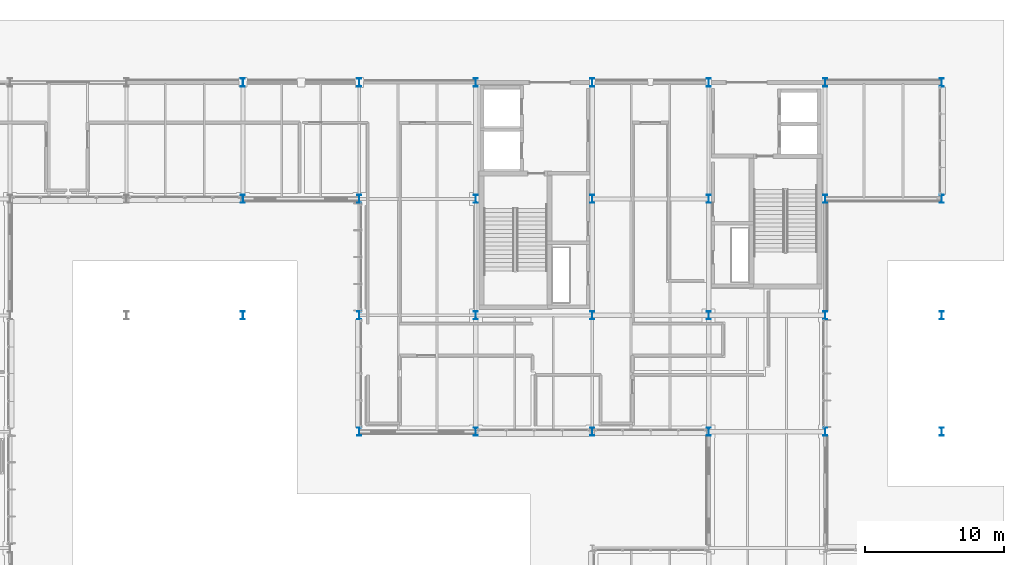
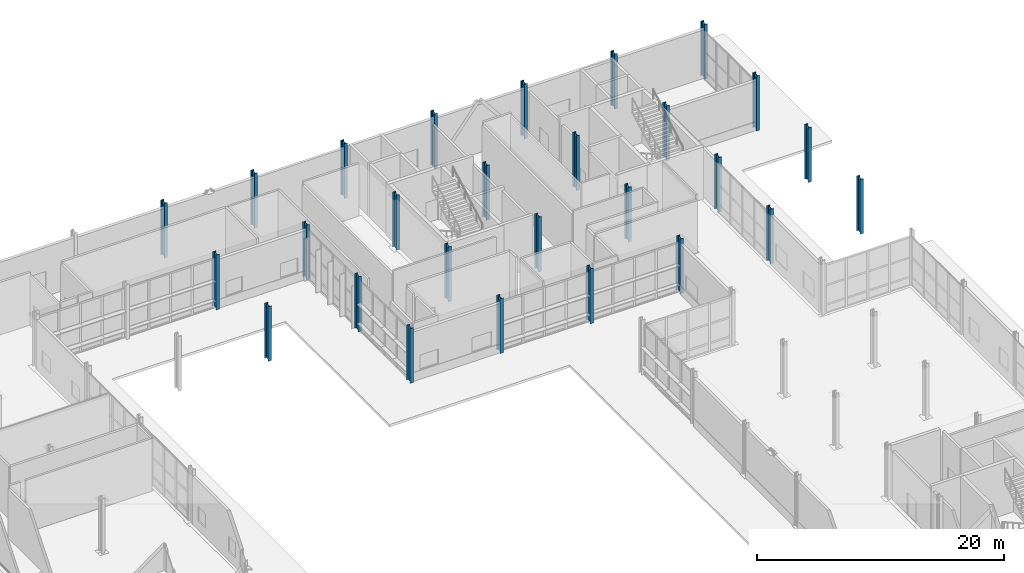
# One storey, part 17 of 124: 27 columns.
"""IFC4 building model written with IfcOpenShell, lengths in metres."""

import ifcopenshell
import ifcopenshell.guid

model = None  # the IFC model being written
_history = None  # IfcOwnerHistory: only IFC2X3 demands one
_inside = {}  # id of a spatial element -> (the spatial element, [elements in it])
_under = {}  # id of a project, library or spatial element -> (it, [spatial elements below it])
_declared = {}  # id of a project -> (the project, [libraries it declares])
_typed = {}  # id of a type object -> (the type object, [elements of that type])
_made_of = {}  # id of a material, layer set ... -> (it, [elements and type objects made of it])


def new_model(schema):
    """Start an empty IFC model of exactly this schema.

    Asked for "IFC4X3", IfcOpenShell would pick the latest addendum, in which some entities
    have other attributes; the version numbers below select the first issue.
    IFC2X3 requires an IfcOwnerHistory on every rooted entity: one is made here for all.
    """
    global model, _history
    if schema == "IFC4X3":
        model = ifcopenshell.file(schema_version=(4, 3, 0, 0))
    else:
        model = ifcopenshell.file(schema=schema)
    _inside.clear()
    _under.clear()
    _declared.clear()
    _typed.clear()
    _made_of.clear()
    _history = None
    if model.schema == "IFC2X3":
        org = make("IfcOrganization", Name="unknown")
        user = make(
            "IfcPersonAndOrganization",
            ThePerson=make("IfcPerson", FamilyName="unknown"),
            TheOrganization=org,
        )
        app = make(
            "IfcApplication",
            ApplicationDeveloper=org,
            Version="unknown",
            ApplicationFullName="unknown",
            ApplicationIdentifier="unknown",
        )
        _history = make(
            "IfcOwnerHistory",
            OwningUser=user,
            OwningApplication=app,
            ChangeAction="ADDED",
            CreationDate=0,
        )
    return model


def make(cls, **values):
    """One entity of the class cls with the attributes given. An attribute that is None is left unset."""
    return model.create_entity(
        cls, **{name: value for name, value in values.items() if value is not None}
    )


def rooted(cls, **values):
    """An entity with a GlobalId (a new one), such as an element, a storey or a relation."""
    return make(cls, GlobalId=ifcopenshell.guid.new(), OwnerHistory=_history, **values)


def si_unit(unit_type, name, prefix=None):
    """IfcSIUnit, for example si_unit("LENGTHUNIT", "METRE", prefix="MILLI")."""
    return make("IfcSIUnit", UnitType=unit_type, Prefix=prefix, Name=name)


def assignment(units):
    """IfcUnitAssignment: the units of a project."""
    return None if units is None else make("IfcUnitAssignment", Units=units)


def point(xyz):
    """IfcCartesianPoint."""
    return None if xyz is None else make("IfcCartesianPoint", Coordinates=xyz)


def direction(xyz):
    """IfcDirection."""
    return None if xyz is None else make("IfcDirection", DirectionRatios=xyz)


def frame(location, z_axis=None, x_axis=None):
    """IfcAxis2Placement3D, a coordinate frame: its origin and axes. An axis left out is left unset."""
    return make(
        "IfcAxis2Placement3D",
        Location=point(location),
        Axis=direction(z_axis),
        RefDirection=direction(x_axis),
    )


def frame_2d(location, x_axis=None):
    """IfcAxis2Placement2D, a coordinate frame in the plane: its origin and x axis."""
    return make(
        "IfcAxis2Placement2D", Location=point(location), RefDirection=direction(x_axis)
    )


def origin():
    """The frame at (0, 0, 0) with its axes left unset."""
    return frame((0.0, 0.0, 0.0))


def origin_2d():
    """The frame at (0, 0) in the plane with its x axis left unset."""
    return frame_2d((0.0, 0.0))


def place(relative_to, where):
    """IfcLocalPlacement: puts the frame where relative to a parent placement (None: the world)."""
    return make(
        "IfcLocalPlacement", PlacementRelTo=relative_to, RelativePlacement=where
    )


def context(
    kind, dimensions, precision=None, world=None, true_north=None, identifier=None
):
    """IfcGeometricRepresentationContext, for example the 3D "Model" context."""
    return make(
        "IfcGeometricRepresentationContext",
        ContextIdentifier=identifier,
        ContextType=kind,
        CoordinateSpaceDimension=dimensions,
        Precision=precision,
        WorldCoordinateSystem=world,
        TrueNorth=true_north,
    )


def subcontext(parent, identifier, kind, view, scale=None):
    """IfcGeometricRepresentationSubContext, for example "Body" below "Model"."""
    return make(
        "IfcGeometricRepresentationSubContext",
        ContextIdentifier=identifier,
        ContextType=kind,
        ParentContext=parent,
        TargetScale=scale,
        TargetView=view,
    )


def project(units=None, contexts=None):
    """IfcProject with its units and contexts."""
    return rooted(
        "IfcProject",
        Name="project",
        RepresentationContexts=contexts,
        UnitsInContext=assignment(units),
    )


def spatial(cls, under=None, at=None, **own):
    """A site, building, storey or space (cls), placed at a placement, below another one or the project."""
    s = rooted(cls, ObjectPlacement=at, **own)
    if under is not None:
        _under.setdefault(under.id(), (under, []))[1].append(s)
    return s


def profile(cls, at=None, kind="AREA", **sizes):
    """A parametric profile (cls). Its sizes go by their IFC names, for example OverallWidth=200.0."""
    return make(cls, ProfileType=kind, Position=at, **sizes)


def i_section(**sizes):
    """IfcIShapeProfileDef."""
    return profile("IfcIShapeProfileDef", **sizes)


def extrude(swept, where, along, depth):
    """IfcExtrudedAreaSolid: the profile swept, set in the frame where, extruded along a direction by depth."""
    return make(
        "IfcExtrudedAreaSolid",
        SweptArea=swept,
        Position=where,
        ExtrudedDirection=direction(along),
        Depth=depth,
    )


def shape(context_of_items, identifier, shape_type, items):
    """IfcShapeRepresentation: the items that make up one representation, for example the "Body"."""
    return make(
        "IfcShapeRepresentation",
        ContextOfItems=context_of_items,
        RepresentationIdentifier=identifier,
        RepresentationType=shape_type,
        Items=items,
    )


def material(Name=None, Category=None):
    """IfcMaterial."""
    return make("IfcMaterial", Name=Name, Category=Category)


def material_profile(
    of_material, cross_section, Name=None, Category=None, Priority=None
):
    """IfcMaterialProfile: a cross section and its material."""
    return make(
        "IfcMaterialProfile",
        Name=Name,
        Material=of_material,
        Profile=cross_section,
        Priority=Priority,
        Category=Category,
    )


def profile_set(profiles, Name=None, composite=None):
    """IfcMaterialProfileSet."""
    return make(
        "IfcMaterialProfileSet",
        Name=Name,
        MaterialProfiles=profiles,
        CompositeProfile=composite,
    )


def made_of(thing, what):
    """Note that an element or type object is made of a material, layer set ...; save() writes the relation."""
    if what is not None:
        _made_of.setdefault(what.id(), (what, []))[1].append(thing)
    return thing


def type_object(cls, material=None, **own):
    """A type object (cls), such as IfcWallType, which elements share."""
    return made_of(rooted(cls, **own), material)


def element(
    cls,
    number,
    at=None,
    inside=None,
    cuts=None,
    type_object=None,
    material=None,
    context=None,
    identifier="Body",
    shape_type=None,
    held_by="IfcProductDefinitionShape",
    body=None,
    shapes=None,
    **own,
):
    """One element of the class cls, such as IfcWall. Its Tag is "e" and its number.

    at: its placement. inside: the storey or other place that contains it. cuts: it is an
    opening in that element (IfcRelVoidsElement). A single representation is given by context,
    identifier, shape_type and body (its items); several are given by shapes. held_by: the class
    of the entity that holds the representations. save() writes the other relations.
    """
    e = rooted(cls, Tag="e%d" % number, ObjectPlacement=at, **own)
    if body is not None:
        shapes = [shape(context, identifier, shape_type, body)]
    if shapes is not None:
        e.Representation = make(held_by, Representations=shapes)
    if inside is not None:
        _inside.setdefault(inside.id(), (inside, []))[1].append(e)
    if cuts is not None:
        rooted(
            "IfcRelVoidsElement", RelatingBuildingElement=cuts, RelatedOpeningElement=e
        )
    if type_object is not None:
        _typed.setdefault(type_object.id(), (type_object, []))[1].append(e)
    return made_of(e, material)


def aggregate(whole, parts):
    """IfcRelAggregates: a whole, such as a stair, and the parts it consists of."""
    return rooted("IfcRelAggregates", RelatingObject=whole, RelatedObjects=parts)


def save(model, path):
    """Write the relations noted so far, then the file.

    IfcRelAggregates (storeys below a building ...), IfcRelContainedInSpatialStructure (elements
    in a storey), IfcRelDefinesByType, IfcRelAssociatesMaterial and IfcRelDeclares: one each for
    every whole, place, type object, material and project.
    """
    for whole, parts in _under.values():
        aggregate(whole, parts)
    for where, things in _inside.values():
        rooted(
            "IfcRelContainedInSpatialStructure",
            RelatedElements=things,
            RelatingStructure=where,
        )
    for kind, things in _typed.values():
        rooted("IfcRelDefinesByType", RelatedObjects=things, RelatingType=kind)
    for what, things in _made_of.values():
        rooted("IfcRelAssociatesMaterial", RelatedObjects=things, RelatingMaterial=what)
    for by, libraries in _declared.values():
        rooted("IfcRelDeclares", RelatingContext=by, RelatedDefinitions=libraries)
    model.write(path)


model = new_model("IFC4")

# Units and contexts
model_context = context("Model", 3, precision=1e-05, world=origin(), true_north=direction((0.0, 1.0)))
body_context = subcontext(model_context, "Body", "Model", "MODEL_VIEW")
ifc_project = project(units=[si_unit("LENGTHUNIT", "METRE"), si_unit("AREAUNIT", "SQUARE_METRE"), si_unit("VOLUMEUNIT", "CUBIC_METRE"), si_unit("PLANEANGLEUNIT", "RADIAN"), si_unit("MASSUNIT", "GRAM", prefix="KILO")], contexts=[model_context])

# Site, building, storey
site_placement = place(None, origin())
site = spatial("IfcSite", under=ifc_project, at=site_placement, CompositionType="ELEMENT")
building_placement = place(site_placement, origin())
building = spatial("IfcBuilding", under=site, at=building_placement, Name="Mersafa Astral City Hall", CompositionType="ELEMENT")
storey_placement = place(building_placement, origin())
storey = spatial("IfcBuildingStorey", under=building, at=storey_placement, Name="L00", CompositionType="ELEMENT", Elevation=0.0)

# Columns
ifc_material = material(Name="Steel S355", Category="steel")
ifc_material_profile = material_profile(ifc_material, i_section(OverallWidth=0.300048828125, OverallDepth=0.60009765625, WebThickness=0.015380859375, FlangeThickness=0.030029296875, FilletRadius=0.027099609375, at=origin_2d()), Name="HEB 600")
ifc_profile_set = profile_set([ifc_material_profile], Name="Steel S355")
column_type = type_object("IfcColumnType", Name="STR-COL-HEB600", PredefinedType="COLUMN", material=ifc_profile_set)
for number, where, z_axis, x_axis, name in (
    (1, (134.39990234375, 109.199951171875, 0.0), (0.0, 0.0, 1.0), (1.0, 0.0, 0.0), "L00 Structural column G-16-13"),
    (2, (134.39990234375, 117.60009765625, 0.0), (0.0, 0.0, 1.0), (1.0, 0.0, 0.0), "L00 Structural column G-16-14"),
    (3, (134.39990234375, 126.0, 0.0), (0.0, 0.0, 1.0), (1.0, 0.0, 0.0), "L00 Structural column G-16-15"),
    (4, (142.800048828125, 100.800048828125, 0.0), (0.0, 0.0, 1.0), (1.0, 0.0, 0.0), "L00 Structural column G-17-12"),
    (5, (142.800048828125, 109.199951171875, 0.0), (0.0, 0.0, 1.0), (1.0, 0.0, 0.0), "L00 Structural column G-17-13"),
    (6, (142.800048828125, 117.60009765625, 0.0), (0.0, 0.0, 1.0), (1.0, 0.0, 0.0), "L00 Structural column G-17-14"),
    (7, (142.800048828125, 126.0, 0.0), (0.0, 0.0, 1.0), (1.0, 0.0, 0.0), "L00 Structural column G-17-15"),
    (8, (151.199951171875, 100.800048828125, 0.0), (0.0, 0.0, 1.0), (1.0, 0.0, 0.0), "L00 Structural column G-18-12"),
    (9, (151.199951171875, 109.199951171875, 0.0), (0.0, 0.0, 1.0), (1.0, 0.0, 0.0), "L00 Structural column G-18-13"),
    (10, (151.199951171875, 117.60009765625, 0.0), (0.0, 0.0, 1.0), (1.0, 0.0, 0.0), "L00 Structural column G-18-14"),
    (11, (151.199951171875, 126.0, 0.0), (0.0, 0.0, 1.0), (1.0, 0.0, 0.0), "L00 Structural column G-18-15"),
    (12, (159.60009765625, 100.800048828125, 0.0), (0.0, 0.0, 1.0), (1.0, 0.0, 0.0), "L00 Structural column G-19-12"),
    (13, (159.60009765625, 109.199951171875, 0.0), (0.0, 0.0, 1.0), (1.0, 0.0, 0.0), "L00 Structural column G-19-13"),
    (14, (159.60009765625, 117.60009765625, 0.0), (0.0, 0.0, 1.0), (1.0, 0.0, 0.0), "L00 Structural column G-19-14"),
    (15, (159.60009765625, 126.0, 0.0), (0.0, 0.0, 1.0), (1.0, 0.0, 0.0), "L00 Structural column G-19-15"),
    (16, (168.0, 100.800048828125, 0.0), (0.0, 0.0, 1.0), (1.0, 0.0, 0.0), "L00 Structural column G-20-12"),
    (17, (168.0, 109.199951171875, 0.0), (0.0, 0.0, 1.0), (1.0, 0.0, 0.0), "L00 Structural column G-20-13"),
    (18, (168.0, 117.60009765625, 0.0), (0.0, 0.0, 1.0), (1.0, 0.0, 0.0), "L00 Structural column G-20-14"),
    (19, (168.0, 126.0, 0.0), (0.0, 0.0, 1.0), (1.0, 0.0, 0.0), "L00 Structural column G-20-15"),
    (20, (176.39990234375, 100.800048828125, 0.0), (0.0, 0.0, 1.0), (1.0, 0.0, 0.0), "L00 Structural column G-21-12"),
    (21, (176.39990234375, 109.199951171875, 0.0), (0.0, 0.0, 1.0), (1.0, 0.0, 0.0), "L00 Structural column G-21-13"),
    (22, (176.39990234375, 117.60009765625, 0.0), (0.0, 0.0, 1.0), (1.0, 0.0, 0.0), "L00 Structural column G-21-14"),
    (23, (176.39990234375, 126.0, 0.0), (0.0, 0.0, 1.0), (1.0, 0.0, 0.0), "L00 Structural column G-21-15"),
    (24, (184.800048828125, 100.800048828125, 0.0), (0.0, 0.0, 1.0), (1.0, 0.0, 0.0), "L00 Structural column G-22-12"),
    (25, (184.800048828125, 109.199951171875, 0.0), (0.0, 0.0, 1.0), (1.0, 0.0, 0.0), "L00 Structural column G-22-13"),
    (26, (184.800048828125, 117.60009765625, 0.0), (0.0, 0.0, 1.0), (1.0, 0.0, 0.0), "L00 Structural column G-22-14"),
    (27, (184.800048828125, 126.0, 0.0), (0.0, 0.0, 1.0), (1.0, 0.0, 0.0), "L00 Structural column G-22-15"),
):
    element("IfcColumn", number, at=place(storey_placement, frame(where, z_axis=z_axis, x_axis=x_axis)), inside=storey, type_object=column_type, Name=name, PredefinedType="COLUMN", context=body_context, shape_type="SweptSolid", body=[
        extrude(i_section(OverallWidth=0.300048828125, OverallDepth=0.60009765625, WebThickness=0.015380859375, FlangeThickness=0.030029296875, FilletRadius=0.027099609375, at=origin_2d()), origin(), (0.0, 0.0, 1.0), 5.39990234375),
    ])

save(model, "model.ifc")
